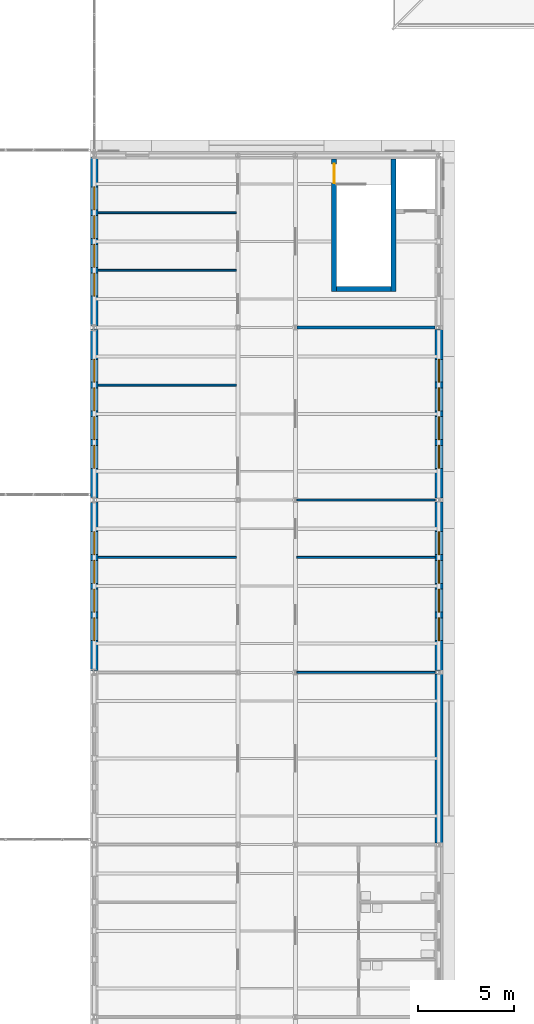
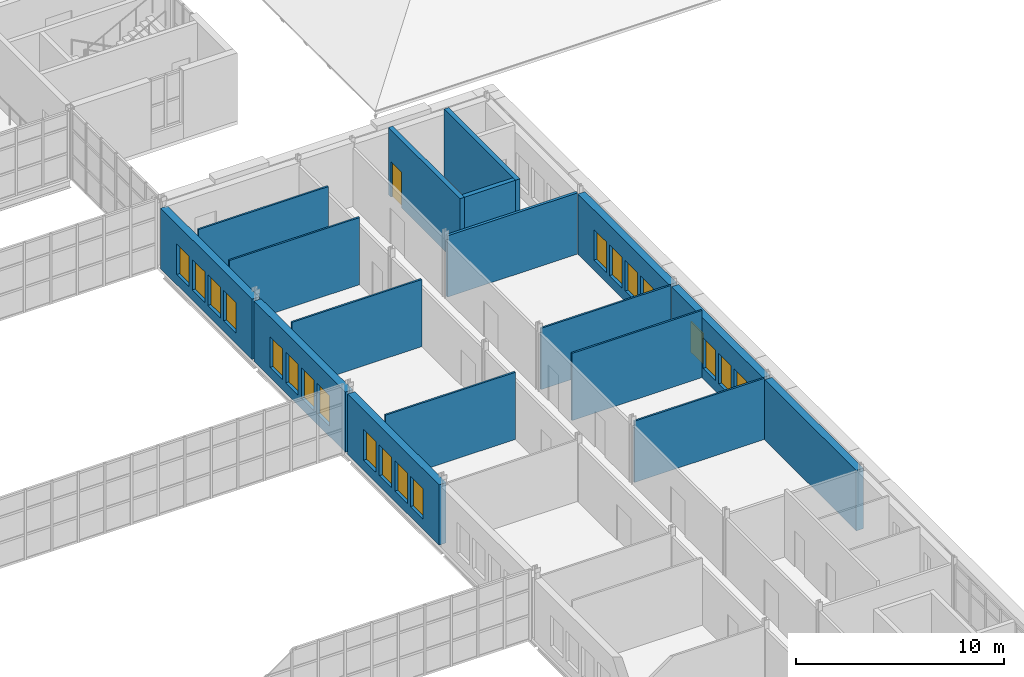
# One storey, part 108 of 154: 20 windows, 17 walls, 1 door, 21 openings.
"""IFC4 building model written with IfcOpenShell, lengths in metres."""

from ifc_helpers import new_model, si_unit, direction, frame, frame_2d, origin, place, context, subcontext, project, spatial, rectangle, extrude, material, layer, layer_set, type_object, element, fill, save


model = new_model("IFC4")

# Units and contexts
model_context = context("Model", 3, precision=1e-05, world=origin(), true_north=direction((0.0, 1.0)))
body_context = subcontext(model_context, "Body", "Model", "MODEL_VIEW")
ifc_project = project(units=[si_unit("LENGTHUNIT", "METRE"), si_unit("AREAUNIT", "SQUARE_METRE"), si_unit("VOLUMEUNIT", "CUBIC_METRE"), si_unit("PLANEANGLEUNIT", "RADIAN"), si_unit("MASSUNIT", "GRAM", prefix="KILO")], contexts=[model_context])

# Site, building, storey
site_placement = place(None, origin())
site = spatial("IfcSite", under=ifc_project, at=site_placement, CompositionType="ELEMENT")
building_placement = place(site_placement, origin())
building = spatial("IfcBuilding", under=site, at=building_placement, Name="Golden Quay Civic Hall", CompositionType="ELEMENT")
storey_placement = place(building_placement, frame((0.0, 0.0, 14.39990234375)))
storey = spatial("IfcBuildingStorey", under=building, at=storey_placement, Name="L03", CompositionType="ELEMENT", Elevation=14.39990234375)

# Wall
ifc_material_1 = material(Name="Concrete C40/50", Category="concrete")
ifc_layer_1 = layer(ifc_material_1, 0.25)
ifc_layer_set_1 = layer_set([ifc_layer_1], Name="Concrete core wall 250, Concrete C40/50")
wall_type_1 = type_object("IfcWallType", Name="Concrete core wall 250", PredefinedType="SHEAR", material=ifc_layer_set_1)
wall_1_placement = place(storey_placement, frame((114.625, 46.89990234375, 0.0), z_axis=(0.0, 0.0, 1.0), x_axis=(0.0, 1.0, 0.0)))
element("IfcWall", 1, at=wall_1_placement, inside=storey, type_object=wall_type_1, Name="Core wall EM-N-W1", PredefinedType="SHEAR", context=body_context, shape_type="SweptSolid", body=[
    extrude(rectangle(XDim=6.900146484375, YDim=0.25, at=frame_2d((3.4501953125, 0.0))), origin(), (0.0, 0.0, 1.0), 3.9501953125),
])

# Wall, opening, door
wall_2_placement = place(storey_placement, frame((111.52490234375, 46.89990234375, 0.0), z_axis=(0.0, 0.0, 1.0), x_axis=(0.0, 1.0, 0.0)))
wall_2 = element("IfcWall", 2, at=wall_2_placement, inside=storey, type_object=wall_type_1, Name="Core wall EM-N-W2", PredefinedType="SHEAR", context=body_context, shape_type="SweptSolid", body=[
    extrude(rectangle(XDim=6.900146484375, YDim=0.25, at=frame_2d((3.4501953125, 0.0))), origin(), (0.0, 0.0, 1.0), 3.9501953125),
])
opening_1_placement = place(wall_2_placement, frame((5.64990234375, 0.0, 0.0)))
opening_1 = element("IfcOpeningElement", 3, at=opening_1_placement, cuts=wall_2, Name="Opening L03-D122", PredefinedType="OPENING", context=body_context, shape_type="SweptSolid", body=[
    extrude(rectangle(XDim=1.0, YDim=2.10009765625, at=frame_2d((0.5, 1.050048828125))), frame((0.0, 0.135009765625, 0.0), z_axis=(0.0, -1.0, 0.0), x_axis=(1.0, 0.0, 0.0)), (0.0, 0.0, 1.0), 0.27001953125),
])
ifc_material_2 = material(Name="Steel", Category="steel")
door_type = type_object("IfcDoorType", Name="Steel fire door FD60 1000 x 2100", OperationType="SINGLE_SWING_LEFT", PredefinedType="DOOR", material=ifc_material_2)
door_placement = place(opening_1_placement, frame((1.0, 0.0, 0.0), z_axis=(0.0, 0.0, 1.0), x_axis=(-1.0, 0.0, 0.0)))
door = element("IfcDoor", 4, at=door_placement, inside=storey, type_object=door_type, Name="Door L03-D122", OperationType="SINGLE_SWING_RIGHT", OverallHeight=2.10009765625, OverallWidth=1.0, PredefinedType="DOOR", context=body_context, shape_type="SweptSolid", body=[
    extrude(rectangle(XDim=1.0, YDim=2.10009765625, at=frame_2d((0.5, 1.050048828125))), frame((0.0, 0.025146484375, 0.0), z_axis=(0.0, -1.0, 0.0), x_axis=(1.0, 0.0, 0.0)), (0.0, 0.0, 1.0), 0.050048828125),
])
fill(opening_1, door)

# Walls
wall_3_placement = place(storey_placement, frame((111.64990234375, 47.02490234375, 0.0), z_axis=(0.0, 0.0, 1.0), x_axis=(1.0, 0.0, 0.0)))
element("IfcWall", 5, at=wall_3_placement, inside=storey, type_object=wall_type_1, Name="Core wall EM-N-W3", PredefinedType="SHEAR", context=body_context, shape_type="SweptSolid", body=[
    extrude(rectangle(XDim=2.85009765625, YDim=0.25, at=frame_2d((1.425048828125, 0.0))), origin(), (0.0, 0.0, 1.0), 3.9501953125),
])
ifc_material_3 = material(Name="Plasterboard on steel studs", Category="steel")
ifc_layer_2 = layer(ifc_material_3, 0.10009765625)
ifc_layer_set_2 = layer_set([ifc_layer_2], Name="Partition 100 stud")
wall_type_2 = type_object("IfcWallType", Name="Partition 100 stud", PredefinedType="PARTITIONING", material=ifc_layer_set_2)
wall_4_placement = place(storey_placement, frame((109.574951171875, 27.0, 0.0), z_axis=(0.0, 0.0, 1.0), x_axis=(1.0, 0.0, 0.0)))
element("IfcWall", 6, at=wall_4_placement, inside=storey, type_object=wall_type_2, Name="Partition L03-001", PredefinedType="PARTITIONING", context=body_context, shape_type="SweptSolid", body=[
    extrude(rectangle(XDim=7.22509765625, YDim=0.10009765625, at=frame_2d((3.612548828125, 0.0))), origin(), (0.0, 0.0, 1.0), 3.60009765625),
])
wall_5_placement = place(storey_placement, frame((109.574951171875, 33.0, 0.0), z_axis=(0.0, 0.0, 1.0), x_axis=(1.0, 0.0, 0.0)))
element("IfcWall", 7, at=wall_5_placement, inside=storey, type_object=wall_type_2, Name="Partition L03-002", PredefinedType="PARTITIONING", context=body_context, shape_type="SweptSolid", body=[
    extrude(rectangle(XDim=7.22509765625, YDim=0.10009765625, at=frame_2d((3.612548828125, 0.0))), origin(), (0.0, 0.0, 1.0), 3.9501953125),
])
wall_6_placement = place(storey_placement, frame((109.574951171875, 36.0, 0.0), z_axis=(0.0, 0.0, 1.0), x_axis=(1.0, 0.0, 0.0)))
element("IfcWall", 8, at=wall_6_placement, inside=storey, type_object=wall_type_2, Name="Partition L03-003", PredefinedType="PARTITIONING", context=body_context, shape_type="SweptSolid", body=[
    extrude(rectangle(XDim=7.22509765625, YDim=0.10009765625, at=frame_2d((3.612548828125, 0.0))), origin(), (0.0, 0.0, 1.0), 3.60009765625),
])
for number, where, z_axis, x_axis, name in (
    (9, (99.199951171875, 33.0, 0.0), (0.0, 0.0, 1.0), (1.0, 0.0, 0.0), "Partition L03-009"),
    (10, (99.199951171875, 42.0, 0.0), (0.0, 0.0, 1.0), (1.0, 0.0, 0.0), "Partition L03-010"),
    (11, (99.199951171875, 48.0, 0.0), (0.0, 0.0, 1.0), (1.0, 0.0, 0.0), "Partition L03-011"),
    (12, (99.199951171875, 51.0, 0.0), (0.0, 0.0, 1.0), (1.0, 0.0, 0.0), "Partition L03-012"),
):
    element("IfcWall", number, at=place(storey_placement, frame(where, z_axis=z_axis, x_axis=x_axis)), inside=storey, type_object=wall_type_2, Name=name, PredefinedType="PARTITIONING", context=body_context, shape_type="SweptSolid", body=[
        extrude(rectangle(XDim=7.22509765625, YDim=0.10009765625, at=frame_2d((3.612548828125, 0.0))), origin(), (0.0, 0.0, 1.0), 3.9501953125),
    ])
ifc_material_4 = material(Name="Plasterboard on steel studs", Category="steel")
ifc_layer_3 = layer(ifc_material_4, 0.14990234375)
ifc_layer_set_3 = layer_set([ifc_layer_3], Name="Partition 150 stud fire EI 60")
wall_type_3 = type_object("IfcWallType", Name="Partition 150 stud fire EI 60", PredefinedType="PARTITIONING", material=ifc_layer_set_3)
wall_7_placement = place(storey_placement, frame((109.574951171875, 45.0, 0.0), z_axis=(0.0, 0.0, 1.0), x_axis=(1.0, 0.0, 0.0)))
element("IfcWall", 13, at=wall_7_placement, inside=storey, type_object=wall_type_3, Name="Partition L03-004", PredefinedType="PARTITIONING", context=body_context, shape_type="SweptSolid", body=[
    extrude(rectangle(XDim=7.22509765625, YDim=0.14990234375, at=frame_2d((3.612548828125, 0.0))), origin(), (0.0, 0.0, 1.0), 3.60009765625),
])

# Wall, openings, windows
ifc_material_5 = material(Name="Clay block, rendered, cream")
ifc_layer_4 = layer(ifc_material_5, 0.39990234375)
ifc_layer_set_4 = layer_set([ifc_layer_4], Name="Rendered block external wall 400")
wall_type_4 = type_object("IfcWallType", Name="Rendered block external wall 400", PredefinedType="STANDARD", material=ifc_layer_set_4)
wall_8_placement = place(storey_placement, frame((99.0, 27.094970703125, 0.0), z_axis=(0.0, 0.0, 1.0), x_axis=(0.0, 1.0, 0.0)))
wall_8 = element("IfcWall", 14, at=wall_8_placement, inside=storey, type_object=wall_type_4, Name="Rendered block external wall 400 L03 38", PredefinedType="STANDARD", context=body_context, shape_type="SweptSolid", body=[
    extrude(rectangle(XDim=8.81005859375, YDim=0.39990234375, at=frame_2d((4.405029296875, 0.0))), origin(), (0.0, 0.0, 1.0), 3.550048828125),
])
opening_2_placement = place(wall_8_placement, frame((1.554931640625, 0.0, 0.60009765625)))
opening_2 = element("IfcOpeningElement", 15, at=opening_2_placement, cuts=wall_8, Name="Opening WN10", PredefinedType="OPENING", context=body_context, shape_type="SweptSolid", body=[
    extrude(rectangle(XDim=1.199951171875, YDim=1.800048828125, at=frame_2d((0.60009765625, 0.89990234375))), frame((0.0, 0.2099609375, 0.0), z_axis=(0.0, -1.0, 0.0), x_axis=(1.0, 0.0, 0.0)), (0.0, 0.0, 1.0), 0.419921875),
])
opening_3_placement = place(wall_8_placement, frame((3.054931640625, 0.0, 0.60009765625)))
opening_3 = element("IfcOpeningElement", 16, at=opening_3_placement, cuts=wall_8, Name="Opening WN10", PredefinedType="OPENING", context=body_context, shape_type="SweptSolid", body=[
    extrude(rectangle(XDim=1.199951171875, YDim=1.800048828125, at=frame_2d((0.60009765625, 0.89990234375))), frame((0.0, 0.2099609375, 0.0), z_axis=(0.0, -1.0, 0.0), x_axis=(1.0, 0.0, 0.0)), (0.0, 0.0, 1.0), 0.419921875),
])
opening_4_placement = place(wall_8_placement, frame((4.554931640625, 0.0, 0.60009765625)))
opening_4 = element("IfcOpeningElement", 17, at=opening_4_placement, cuts=wall_8, Name="Opening WN10", PredefinedType="OPENING", context=body_context, shape_type="SweptSolid", body=[
    extrude(rectangle(XDim=1.199951171875, YDim=1.800048828125, at=frame_2d((0.60009765625, 0.89990234375))), frame((0.0, 0.2099609375, 0.0), z_axis=(0.0, -1.0, 0.0), x_axis=(1.0, 0.0, 0.0)), (0.0, 0.0, 1.0), 0.419921875),
])
opening_5_placement = place(wall_8_placement, frame((6.054931640625, 0.0, 0.60009765625)))
opening_5 = element("IfcOpeningElement", 18, at=opening_5_placement, cuts=wall_8, Name="Opening WN10", PredefinedType="OPENING", context=body_context, shape_type="SweptSolid", body=[
    extrude(rectangle(XDim=1.199951171875, YDim=1.800048828125, at=frame_2d((0.60009765625, 0.89990234375))), frame((0.0, 0.2099609375, 0.0), z_axis=(0.0, -1.0, 0.0), x_axis=(1.0, 0.0, 0.0)), (0.0, 0.0, 1.0), 0.419921875),
])
ifc_material_6 = material(Name="Aluminium frame, double glazed", Category="aluminium")
window_type = type_object("IfcWindowType", Name="Golden grid window 1200 x 1800", PartitioningType="SINGLE_PANEL", PredefinedType="WINDOW", material=ifc_material_6)
window_1_placement = place(opening_2_placement, origin())
window_1 = element("IfcWindow", 19, at=window_1_placement, inside=storey, type_object=window_type, Name="Golden grid window 1200 x 1800 L03 50", OverallHeight=1.800048828125, OverallWidth=1.199951171875, PartitioningType="SINGLE_PANEL", PredefinedType="WINDOW", context=body_context, shape_type="SweptSolid", body=[
    extrude(rectangle(XDim=1.199951171875, YDim=1.800048828125, at=frame_2d((0.60009765625, 0.89990234375))), frame((0.0, 0.030029296875, 0.0), z_axis=(0.0, -1.0, 0.0), x_axis=(1.0, 0.0, 0.0)), (0.0, 0.0, 1.0), 0.06005859375),
])
fill(opening_2, window_1)
window_2_placement = place(opening_3_placement, origin())
window_2 = element("IfcWindow", 20, at=window_2_placement, inside=storey, type_object=window_type, Name="Golden grid window 1200 x 1800 L03 51", OverallHeight=1.800048828125, OverallWidth=1.199951171875, PartitioningType="SINGLE_PANEL", PredefinedType="WINDOW", context=body_context, shape_type="SweptSolid", body=[
    extrude(rectangle(XDim=1.199951171875, YDim=1.800048828125, at=frame_2d((0.60009765625, 0.89990234375))), frame((0.0, 0.030029296875, 0.0), z_axis=(0.0, -1.0, 0.0), x_axis=(1.0, 0.0, 0.0)), (0.0, 0.0, 1.0), 0.06005859375),
])
fill(opening_3, window_2)
window_3_placement = place(opening_4_placement, origin())
window_3 = element("IfcWindow", 21, at=window_3_placement, inside=storey, type_object=window_type, Name="Golden grid window 1200 x 1800 L03 52", OverallHeight=1.800048828125, OverallWidth=1.199951171875, PartitioningType="SINGLE_PANEL", PredefinedType="WINDOW", context=body_context, shape_type="SweptSolid", body=[
    extrude(rectangle(XDim=1.199951171875, YDim=1.800048828125, at=frame_2d((0.60009765625, 0.89990234375))), frame((0.0, 0.030029296875, 0.0), z_axis=(0.0, -1.0, 0.0), x_axis=(1.0, 0.0, 0.0)), (0.0, 0.0, 1.0), 0.06005859375),
])
fill(opening_4, window_3)
window_4_placement = place(opening_5_placement, origin())
window_4 = element("IfcWindow", 22, at=window_4_placement, inside=storey, type_object=window_type, Name="Golden grid window 1200 x 1800 L03 53", OverallHeight=1.800048828125, OverallWidth=1.199951171875, PartitioningType="SINGLE_PANEL", PredefinedType="WINDOW", context=body_context, shape_type="SweptSolid", body=[
    extrude(rectangle(XDim=1.199951171875, YDim=1.800048828125, at=frame_2d((0.60009765625, 0.89990234375))), frame((0.0, 0.030029296875, 0.0), z_axis=(0.0, -1.0, 0.0), x_axis=(1.0, 0.0, 0.0)), (0.0, 0.0, 1.0), 0.06005859375),
])
fill(opening_5, window_4)

wall_9_placement = place(storey_placement, frame((99.0, 36.094970703125, 0.0), z_axis=(0.0, 0.0, 1.0), x_axis=(0.0, 1.0, 0.0)))
wall_9 = element("IfcWall", 23, at=wall_9_placement, inside=storey, type_object=wall_type_4, Name="Rendered block external wall 400 L03 39", PredefinedType="STANDARD", context=body_context, shape_type="SweptSolid", body=[
    extrude(rectangle(XDim=8.81005859375, YDim=0.39990234375, at=frame_2d((4.405029296875, 0.0))), origin(), (0.0, 0.0, 1.0), 3.550048828125),
])
opening_6_placement = place(wall_9_placement, frame((1.554931640625, 0.0, 0.60009765625)))
opening_6 = element("IfcOpeningElement", 24, at=opening_6_placement, cuts=wall_9, Name="Opening WN10", PredefinedType="OPENING", context=body_context, shape_type="SweptSolid", body=[
    extrude(rectangle(XDim=1.199951171875, YDim=1.800048828125, at=frame_2d((0.60009765625, 0.89990234375))), frame((0.0, 0.2099609375, 0.0), z_axis=(0.0, -1.0, 0.0), x_axis=(1.0, 0.0, 0.0)), (0.0, 0.0, 1.0), 0.419921875),
])
opening_7_placement = place(wall_9_placement, frame((3.054931640625, 0.0, 0.60009765625)))
opening_7 = element("IfcOpeningElement", 25, at=opening_7_placement, cuts=wall_9, Name="Opening WN10", PredefinedType="OPENING", context=body_context, shape_type="SweptSolid", body=[
    extrude(rectangle(XDim=1.199951171875, YDim=1.800048828125, at=frame_2d((0.60009765625, 0.89990234375))), frame((0.0, 0.2099609375, 0.0), z_axis=(0.0, -1.0, 0.0), x_axis=(1.0, 0.0, 0.0)), (0.0, 0.0, 1.0), 0.419921875),
])
opening_8_placement = place(wall_9_placement, frame((4.554931640625, 0.0, 0.60009765625)))
opening_8 = element("IfcOpeningElement", 26, at=opening_8_placement, cuts=wall_9, Name="Opening WN10", PredefinedType="OPENING", context=body_context, shape_type="SweptSolid", body=[
    extrude(rectangle(XDim=1.199951171875, YDim=1.800048828125, at=frame_2d((0.60009765625, 0.89990234375))), frame((0.0, 0.2099609375, 0.0), z_axis=(0.0, -1.0, 0.0), x_axis=(1.0, 0.0, 0.0)), (0.0, 0.0, 1.0), 0.419921875),
])
opening_9_placement = place(wall_9_placement, frame((6.054931640625, 0.0, 0.60009765625)))
opening_9 = element("IfcOpeningElement", 27, at=opening_9_placement, cuts=wall_9, Name="Opening WN10", PredefinedType="OPENING", context=body_context, shape_type="SweptSolid", body=[
    extrude(rectangle(XDim=1.199951171875, YDim=1.800048828125, at=frame_2d((0.60009765625, 0.89990234375))), frame((0.0, 0.2099609375, 0.0), z_axis=(0.0, -1.0, 0.0), x_axis=(1.0, 0.0, 0.0)), (0.0, 0.0, 1.0), 0.419921875),
])
window_5_placement = place(opening_6_placement, origin())
window_5 = element("IfcWindow", 28, at=window_5_placement, inside=storey, type_object=window_type, Name="Golden grid window 1200 x 1800 L03 54", OverallHeight=1.800048828125, OverallWidth=1.199951171875, PartitioningType="SINGLE_PANEL", PredefinedType="WINDOW", context=body_context, shape_type="SweptSolid", body=[
    extrude(rectangle(XDim=1.199951171875, YDim=1.800048828125, at=frame_2d((0.60009765625, 0.89990234375))), frame((0.0, 0.030029296875, 0.0), z_axis=(0.0, -1.0, 0.0), x_axis=(1.0, 0.0, 0.0)), (0.0, 0.0, 1.0), 0.06005859375),
])
fill(opening_6, window_5)
window_6_placement = place(opening_7_placement, origin())
window_6 = element("IfcWindow", 29, at=window_6_placement, inside=storey, type_object=window_type, Name="Golden grid window 1200 x 1800 L03 55", OverallHeight=1.800048828125, OverallWidth=1.199951171875, PartitioningType="SINGLE_PANEL", PredefinedType="WINDOW", context=body_context, shape_type="SweptSolid", body=[
    extrude(rectangle(XDim=1.199951171875, YDim=1.800048828125, at=frame_2d((0.60009765625, 0.89990234375))), frame((0.0, 0.030029296875, 0.0), z_axis=(0.0, -1.0, 0.0), x_axis=(1.0, 0.0, 0.0)), (0.0, 0.0, 1.0), 0.06005859375),
])
fill(opening_7, window_6)
window_7_placement = place(opening_8_placement, origin())
window_7 = element("IfcWindow", 30, at=window_7_placement, inside=storey, type_object=window_type, Name="Golden grid window 1200 x 1800 L03 56", OverallHeight=1.800048828125, OverallWidth=1.199951171875, PartitioningType="SINGLE_PANEL", PredefinedType="WINDOW", context=body_context, shape_type="SweptSolid", body=[
    extrude(rectangle(XDim=1.199951171875, YDim=1.800048828125, at=frame_2d((0.60009765625, 0.89990234375))), frame((0.0, 0.030029296875, 0.0), z_axis=(0.0, -1.0, 0.0), x_axis=(1.0, 0.0, 0.0)), (0.0, 0.0, 1.0), 0.06005859375),
])
fill(opening_8, window_7)
window_8_placement = place(opening_9_placement, origin())
window_8 = element("IfcWindow", 31, at=window_8_placement, inside=storey, type_object=window_type, Name="Golden grid window 1200 x 1800 L03 57", OverallHeight=1.800048828125, OverallWidth=1.199951171875, PartitioningType="SINGLE_PANEL", PredefinedType="WINDOW", context=body_context, shape_type="SweptSolid", body=[
    extrude(rectangle(XDim=1.199951171875, YDim=1.800048828125, at=frame_2d((0.60009765625, 0.89990234375))), frame((0.0, 0.030029296875, 0.0), z_axis=(0.0, -1.0, 0.0), x_axis=(1.0, 0.0, 0.0)), (0.0, 0.0, 1.0), 0.06005859375),
])
fill(opening_9, window_8)

wall_10_placement = place(storey_placement, frame((99.0, 45.094970703125, 0.0), z_axis=(0.0, 0.0, 1.0), x_axis=(0.0, 1.0, 0.0)))
wall_10 = element("IfcWall", 32, at=wall_10_placement, inside=storey, type_object=wall_type_4, Name="Rendered block external wall 400 L03 40", PredefinedType="STANDARD", context=body_context, shape_type="SweptSolid", body=[
    extrude(rectangle(XDim=8.81005859375, YDim=0.39990234375, at=frame_2d((4.405029296875, 0.0))), origin(), (0.0, 0.0, 1.0), 3.550048828125),
])
opening_10_placement = place(wall_10_placement, frame((1.554931640625, 0.0, 0.60009765625)))
opening_10 = element("IfcOpeningElement", 33, at=opening_10_placement, cuts=wall_10, Name="Opening WN10", PredefinedType="OPENING", context=body_context, shape_type="SweptSolid", body=[
    extrude(rectangle(XDim=1.199951171875, YDim=1.800048828125, at=frame_2d((0.60009765625, 0.89990234375))), frame((0.0, 0.2099609375, 0.0), z_axis=(0.0, -1.0, 0.0), x_axis=(1.0, 0.0, 0.0)), (0.0, 0.0, 1.0), 0.419921875),
])
opening_11_placement = place(wall_10_placement, frame((3.054931640625, 0.0, 0.60009765625)))
opening_11 = element("IfcOpeningElement", 34, at=opening_11_placement, cuts=wall_10, Name="Opening WN10", PredefinedType="OPENING", context=body_context, shape_type="SweptSolid", body=[
    extrude(rectangle(XDim=1.199951171875, YDim=1.800048828125, at=frame_2d((0.60009765625, 0.89990234375))), frame((0.0, 0.2099609375, 0.0), z_axis=(0.0, -1.0, 0.0), x_axis=(1.0, 0.0, 0.0)), (0.0, 0.0, 1.0), 0.419921875),
])
opening_12_placement = place(wall_10_placement, frame((4.554931640625, 0.0, 0.60009765625)))
opening_12 = element("IfcOpeningElement", 35, at=opening_12_placement, cuts=wall_10, Name="Opening WN10", PredefinedType="OPENING", context=body_context, shape_type="SweptSolid", body=[
    extrude(rectangle(XDim=1.199951171875, YDim=1.800048828125, at=frame_2d((0.60009765625, 0.89990234375))), frame((0.0, 0.2099609375, 0.0), z_axis=(0.0, -1.0, 0.0), x_axis=(1.0, 0.0, 0.0)), (0.0, 0.0, 1.0), 0.419921875),
])
opening_13_placement = place(wall_10_placement, frame((6.054931640625, 0.0, 0.60009765625)))
opening_13 = element("IfcOpeningElement", 36, at=opening_13_placement, cuts=wall_10, Name="Opening WN10", PredefinedType="OPENING", context=body_context, shape_type="SweptSolid", body=[
    extrude(rectangle(XDim=1.199951171875, YDim=1.800048828125, at=frame_2d((0.60009765625, 0.89990234375))), frame((0.0, 0.2099609375, 0.0), z_axis=(0.0, -1.0, 0.0), x_axis=(1.0, 0.0, 0.0)), (0.0, 0.0, 1.0), 0.419921875),
])
window_9_placement = place(opening_10_placement, origin())
window_9 = element("IfcWindow", 37, at=window_9_placement, inside=storey, type_object=window_type, Name="Golden grid window 1200 x 1800 L03 58", OverallHeight=1.800048828125, OverallWidth=1.199951171875, PartitioningType="SINGLE_PANEL", PredefinedType="WINDOW", context=body_context, shape_type="SweptSolid", body=[
    extrude(rectangle(XDim=1.199951171875, YDim=1.800048828125, at=frame_2d((0.60009765625, 0.89990234375))), frame((0.0, 0.030029296875, 0.0), z_axis=(0.0, -1.0, 0.0), x_axis=(1.0, 0.0, 0.0)), (0.0, 0.0, 1.0), 0.06005859375),
])
fill(opening_10, window_9)
window_10_placement = place(opening_11_placement, origin())
window_10 = element("IfcWindow", 38, at=window_10_placement, inside=storey, type_object=window_type, Name="Golden grid window 1200 x 1800 L03 59", OverallHeight=1.800048828125, OverallWidth=1.199951171875, PartitioningType="SINGLE_PANEL", PredefinedType="WINDOW", context=body_context, shape_type="SweptSolid", body=[
    extrude(rectangle(XDim=1.199951171875, YDim=1.800048828125, at=frame_2d((0.60009765625, 0.89990234375))), frame((0.0, 0.030029296875, 0.0), z_axis=(0.0, -1.0, 0.0), x_axis=(1.0, 0.0, 0.0)), (0.0, 0.0, 1.0), 0.06005859375),
])
fill(opening_11, window_10)
window_11_placement = place(opening_12_placement, origin())
window_11 = element("IfcWindow", 39, at=window_11_placement, inside=storey, type_object=window_type, Name="Golden grid window 1200 x 1800 L03 60", OverallHeight=1.800048828125, OverallWidth=1.199951171875, PartitioningType="SINGLE_PANEL", PredefinedType="WINDOW", context=body_context, shape_type="SweptSolid", body=[
    extrude(rectangle(XDim=1.199951171875, YDim=1.800048828125, at=frame_2d((0.60009765625, 0.89990234375))), frame((0.0, 0.030029296875, 0.0), z_axis=(0.0, -1.0, 0.0), x_axis=(1.0, 0.0, 0.0)), (0.0, 0.0, 1.0), 0.06005859375),
])
fill(opening_12, window_11)
window_12_placement = place(opening_13_placement, origin())
window_12 = element("IfcWindow", 40, at=window_12_placement, inside=storey, type_object=window_type, Name="Golden grid window 1200 x 1800 L03 61", OverallHeight=1.800048828125, OverallWidth=1.199951171875, PartitioningType="SINGLE_PANEL", PredefinedType="WINDOW", context=body_context, shape_type="SweptSolid", body=[
    extrude(rectangle(XDim=1.199951171875, YDim=1.800048828125, at=frame_2d((0.60009765625, 0.89990234375))), frame((0.0, 0.030029296875, 0.0), z_axis=(0.0, -1.0, 0.0), x_axis=(1.0, 0.0, 0.0)), (0.0, 0.0, 1.0), 0.06005859375),
])
fill(opening_13, window_12)

# Wall
wall_11_placement = place(storey_placement, frame((117.0, 26.905029296875, 0.0), z_axis=(0.0, 0.0, 1.0), x_axis=(0.0, -1.0, 0.0)))
element("IfcWall", 41, at=wall_11_placement, inside=storey, type_object=wall_type_4, Name="Rendered block external wall 400 L03 44", PredefinedType="STANDARD", context=body_context, shape_type="SweptSolid", body=[
    extrude(rectangle(XDim=8.81005859375, YDim=0.39990234375, at=frame_2d((4.405029296875, 0.0))), origin(), (0.0, 0.0, 1.0), 3.550048828125),
])

# Wall, openings, windows
wall_12_placement = place(storey_placement, frame((117.0, 35.905029296875, 0.0), z_axis=(0.0, 0.0, 1.0), x_axis=(0.0, -1.0, 0.0)))
wall_12 = element("IfcWall", 42, at=wall_12_placement, inside=storey, type_object=wall_type_4, Name="Rendered block external wall 400 L03 45", PredefinedType="STANDARD", context=body_context, shape_type="SweptSolid", body=[
    extrude(rectangle(XDim=8.81005859375, YDim=0.39990234375, at=frame_2d((4.405029296875, 0.0))), origin(), (0.0, 0.0, 1.0), 3.550048828125),
])
opening_14_placement = place(wall_12_placement, frame((6.054931640625, 0.0, 0.60009765625)))
opening_14 = element("IfcOpeningElement", 43, at=opening_14_placement, cuts=wall_12, Name="Opening WN10", PredefinedType="OPENING", context=body_context, shape_type="SweptSolid", body=[
    extrude(rectangle(XDim=1.199951171875, YDim=1.800048828125, at=frame_2d((0.60009765625, 0.89990234375))), frame((0.0, 0.2099609375, 0.0), z_axis=(0.0, -1.0, 0.0), x_axis=(1.0, 0.0, 0.0)), (0.0, 0.0, 1.0), 0.419921875),
])
opening_15_placement = place(wall_12_placement, frame((4.554931640625, 0.0, 0.60009765625)))
opening_15 = element("IfcOpeningElement", 44, at=opening_15_placement, cuts=wall_12, Name="Opening WN10", PredefinedType="OPENING", context=body_context, shape_type="SweptSolid", body=[
    extrude(rectangle(XDim=1.199951171875, YDim=1.800048828125, at=frame_2d((0.60009765625, 0.89990234375))), frame((0.0, 0.2099609375, 0.0), z_axis=(0.0, -1.0, 0.0), x_axis=(1.0, 0.0, 0.0)), (0.0, 0.0, 1.0), 0.419921875),
])
opening_16_placement = place(wall_12_placement, frame((3.054931640625, 0.0, 0.60009765625)))
opening_16 = element("IfcOpeningElement", 45, at=opening_16_placement, cuts=wall_12, Name="Opening WN10", PredefinedType="OPENING", context=body_context, shape_type="SweptSolid", body=[
    extrude(rectangle(XDim=1.199951171875, YDim=1.800048828125, at=frame_2d((0.60009765625, 0.89990234375))), frame((0.0, 0.2099609375, 0.0), z_axis=(0.0, -1.0, 0.0), x_axis=(1.0, 0.0, 0.0)), (0.0, 0.0, 1.0), 0.419921875),
])
opening_17_placement = place(wall_12_placement, frame((1.554931640625, 0.0, 0.60009765625)))
opening_17 = element("IfcOpeningElement", 46, at=opening_17_placement, cuts=wall_12, Name="Opening WN10", PredefinedType="OPENING", context=body_context, shape_type="SweptSolid", body=[
    extrude(rectangle(XDim=1.199951171875, YDim=1.800048828125, at=frame_2d((0.60009765625, 0.89990234375))), frame((0.0, 0.2099609375, 0.0), z_axis=(0.0, -1.0, 0.0), x_axis=(1.0, 0.0, 0.0)), (0.0, 0.0, 1.0), 0.419921875),
])
window_13_placement = place(opening_14_placement, origin())
window_13 = element("IfcWindow", 47, at=window_13_placement, inside=storey, type_object=window_type, Name="Golden grid window 1200 x 1800 L03 63", OverallHeight=1.800048828125, OverallWidth=1.199951171875, PartitioningType="SINGLE_PANEL", PredefinedType="WINDOW", context=body_context, shape_type="SweptSolid", body=[
    extrude(rectangle(XDim=1.199951171875, YDim=1.800048828125, at=frame_2d((0.60009765625, 0.89990234375))), frame((0.0, 0.030029296875, 0.0), z_axis=(0.0, -1.0, 0.0), x_axis=(1.0, 0.0, 0.0)), (0.0, 0.0, 1.0), 0.06005859375),
])
fill(opening_14, window_13)
window_14_placement = place(opening_15_placement, origin())
window_14 = element("IfcWindow", 48, at=window_14_placement, inside=storey, type_object=window_type, Name="Golden grid window 1200 x 1800 L03 64", OverallHeight=1.800048828125, OverallWidth=1.199951171875, PartitioningType="SINGLE_PANEL", PredefinedType="WINDOW", context=body_context, shape_type="SweptSolid", body=[
    extrude(rectangle(XDim=1.199951171875, YDim=1.800048828125, at=frame_2d((0.60009765625, 0.89990234375))), frame((0.0, 0.030029296875, 0.0), z_axis=(0.0, -1.0, 0.0), x_axis=(1.0, 0.0, 0.0)), (0.0, 0.0, 1.0), 0.06005859375),
])
fill(opening_15, window_14)
window_15_placement = place(opening_16_placement, origin())
window_15 = element("IfcWindow", 49, at=window_15_placement, inside=storey, type_object=window_type, Name="Golden grid window 1200 x 1800 L03 65", OverallHeight=1.800048828125, OverallWidth=1.199951171875, PartitioningType="SINGLE_PANEL", PredefinedType="WINDOW", context=body_context, shape_type="SweptSolid", body=[
    extrude(rectangle(XDim=1.199951171875, YDim=1.800048828125, at=frame_2d((0.60009765625, 0.89990234375))), frame((0.0, 0.030029296875, 0.0), z_axis=(0.0, -1.0, 0.0), x_axis=(1.0, 0.0, 0.0)), (0.0, 0.0, 1.0), 0.06005859375),
])
fill(opening_16, window_15)
window_16_placement = place(opening_17_placement, origin())
window_16 = element("IfcWindow", 50, at=window_16_placement, inside=storey, type_object=window_type, Name="Golden grid window 1200 x 1800 L03 66", OverallHeight=1.800048828125, OverallWidth=1.199951171875, PartitioningType="SINGLE_PANEL", PredefinedType="WINDOW", context=body_context, shape_type="SweptSolid", body=[
    extrude(rectangle(XDim=1.199951171875, YDim=1.800048828125, at=frame_2d((0.60009765625, 0.89990234375))), frame((0.0, 0.030029296875, 0.0), z_axis=(0.0, -1.0, 0.0), x_axis=(1.0, 0.0, 0.0)), (0.0, 0.0, 1.0), 0.06005859375),
])
fill(opening_17, window_16)

wall_13_placement = place(storey_placement, frame((117.0, 44.905029296875, 0.0), z_axis=(0.0, 0.0, 1.0), x_axis=(0.0, -1.0, 0.0)))
wall_13 = element("IfcWall", 51, at=wall_13_placement, inside=storey, type_object=wall_type_4, Name="Rendered block external wall 400 L03 46", PredefinedType="STANDARD", context=body_context, shape_type="SweptSolid", body=[
    extrude(rectangle(XDim=8.81005859375, YDim=0.39990234375, at=frame_2d((4.405029296875, 0.0))), origin(), (0.0, 0.0, 1.0), 3.550048828125),
])
opening_18_placement = place(wall_13_placement, frame((6.054931640625, 0.0, 0.60009765625)))
opening_18 = element("IfcOpeningElement", 52, at=opening_18_placement, cuts=wall_13, Name="Opening WN10", PredefinedType="OPENING", context=body_context, shape_type="SweptSolid", body=[
    extrude(rectangle(XDim=1.199951171875, YDim=1.800048828125, at=frame_2d((0.60009765625, 0.89990234375))), frame((0.0, 0.2099609375, 0.0), z_axis=(0.0, -1.0, 0.0), x_axis=(1.0, 0.0, 0.0)), (0.0, 0.0, 1.0), 0.419921875),
])
opening_19_placement = place(wall_13_placement, frame((4.554931640625, 0.0, 0.60009765625)))
opening_19 = element("IfcOpeningElement", 53, at=opening_19_placement, cuts=wall_13, Name="Opening WN10", PredefinedType="OPENING", context=body_context, shape_type="SweptSolid", body=[
    extrude(rectangle(XDim=1.199951171875, YDim=1.800048828125, at=frame_2d((0.60009765625, 0.89990234375))), frame((0.0, 0.2099609375, 0.0), z_axis=(0.0, -1.0, 0.0), x_axis=(1.0, 0.0, 0.0)), (0.0, 0.0, 1.0), 0.419921875),
])
opening_20_placement = place(wall_13_placement, frame((3.054931640625, 0.0, 0.60009765625)))
opening_20 = element("IfcOpeningElement", 54, at=opening_20_placement, cuts=wall_13, Name="Opening WN10", PredefinedType="OPENING", context=body_context, shape_type="SweptSolid", body=[
    extrude(rectangle(XDim=1.199951171875, YDim=1.800048828125, at=frame_2d((0.60009765625, 0.89990234375))), frame((0.0, 0.2099609375, 0.0), z_axis=(0.0, -1.0, 0.0), x_axis=(1.0, 0.0, 0.0)), (0.0, 0.0, 1.0), 0.419921875),
])
opening_21_placement = place(wall_13_placement, frame((1.554931640625, 0.0, 0.60009765625)))
opening_21 = element("IfcOpeningElement", 55, at=opening_21_placement, cuts=wall_13, Name="Opening WN10", PredefinedType="OPENING", context=body_context, shape_type="SweptSolid", body=[
    extrude(rectangle(XDim=1.199951171875, YDim=1.800048828125, at=frame_2d((0.60009765625, 0.89990234375))), frame((0.0, 0.2099609375, 0.0), z_axis=(0.0, -1.0, 0.0), x_axis=(1.0, 0.0, 0.0)), (0.0, 0.0, 1.0), 0.419921875),
])
window_17_placement = place(opening_18_placement, origin())
window_17 = element("IfcWindow", 56, at=window_17_placement, inside=storey, type_object=window_type, Name="Golden grid window 1200 x 1800 L03 67", OverallHeight=1.800048828125, OverallWidth=1.199951171875, PartitioningType="SINGLE_PANEL", PredefinedType="WINDOW", context=body_context, shape_type="SweptSolid", body=[
    extrude(rectangle(XDim=1.199951171875, YDim=1.800048828125, at=frame_2d((0.60009765625, 0.89990234375))), frame((0.0, 0.030029296875, 0.0), z_axis=(0.0, -1.0, 0.0), x_axis=(1.0, 0.0, 0.0)), (0.0, 0.0, 1.0), 0.06005859375),
])
fill(opening_18, window_17)
window_18_placement = place(opening_19_placement, origin())
window_18 = element("IfcWindow", 57, at=window_18_placement, inside=storey, type_object=window_type, Name="Golden grid window 1200 x 1800 L03 68", OverallHeight=1.800048828125, OverallWidth=1.199951171875, PartitioningType="SINGLE_PANEL", PredefinedType="WINDOW", context=body_context, shape_type="SweptSolid", body=[
    extrude(rectangle(XDim=1.199951171875, YDim=1.800048828125, at=frame_2d((0.60009765625, 0.89990234375))), frame((0.0, 0.030029296875, 0.0), z_axis=(0.0, -1.0, 0.0), x_axis=(1.0, 0.0, 0.0)), (0.0, 0.0, 1.0), 0.06005859375),
])
fill(opening_19, window_18)
window_19_placement = place(opening_20_placement, origin())
window_19 = element("IfcWindow", 58, at=window_19_placement, inside=storey, type_object=window_type, Name="Golden grid window 1200 x 1800 L03 69", OverallHeight=1.800048828125, OverallWidth=1.199951171875, PartitioningType="SINGLE_PANEL", PredefinedType="WINDOW", context=body_context, shape_type="SweptSolid", body=[
    extrude(rectangle(XDim=1.199951171875, YDim=1.800048828125, at=frame_2d((0.60009765625, 0.89990234375))), frame((0.0, 0.030029296875, 0.0), z_axis=(0.0, -1.0, 0.0), x_axis=(1.0, 0.0, 0.0)), (0.0, 0.0, 1.0), 0.06005859375),
])
fill(opening_20, window_19)
window_20_placement = place(opening_21_placement, origin())
window_20 = element("IfcWindow", 59, at=window_20_placement, inside=storey, type_object=window_type, Name="Golden grid window 1200 x 1800 L03 70", OverallHeight=1.800048828125, OverallWidth=1.199951171875, PartitioningType="SINGLE_PANEL", PredefinedType="WINDOW", context=body_context, shape_type="SweptSolid", body=[
    extrude(rectangle(XDim=1.199951171875, YDim=1.800048828125, at=frame_2d((0.60009765625, 0.89990234375))), frame((0.0, 0.030029296875, 0.0), z_axis=(0.0, -1.0, 0.0), x_axis=(1.0, 0.0, 0.0)), (0.0, 0.0, 1.0), 0.06005859375),
])
fill(opening_21, window_20)

save(model, "model.ifc")
